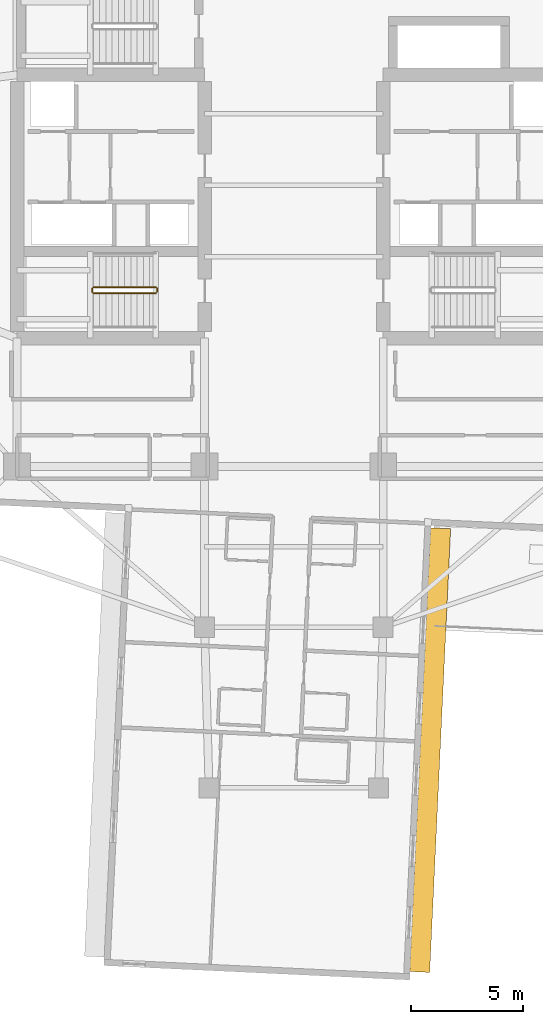
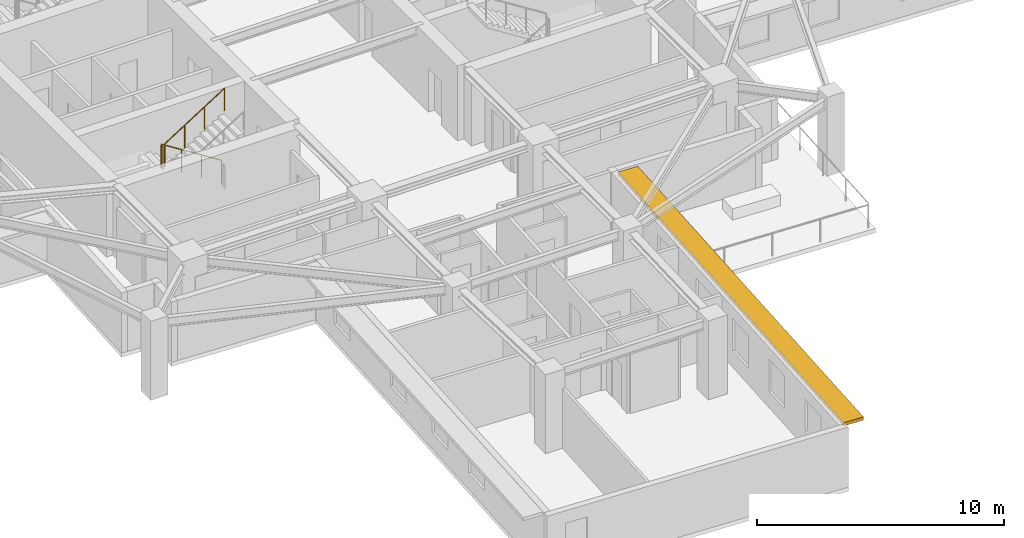
# One storey, part 11 of 14: 4 railings, 1 shading device.
"""IFC4 building model written with IfcOpenShell, lengths in metres."""

from ifc_helpers import new_model, si_unit, direction, frame, origin, origin_2d, place, context, subcontext, project, spatial, rectangle, circle, extrude, material, layer, layer_set, type_object, element, save


model = new_model("IFC4")

# Units and contexts
model_context = context("Model", 3, precision=1e-05, world=origin(), true_north=direction((0.0, 1.0)))
body_context = subcontext(model_context, "Body", "Model", "MODEL_VIEW")
ifc_project = project(units=[si_unit("LENGTHUNIT", "METRE"), si_unit("AREAUNIT", "SQUARE_METRE"), si_unit("VOLUMEUNIT", "CUBIC_METRE"), si_unit("PLANEANGLEUNIT", "RADIAN"), si_unit("MASSUNIT", "GRAM", prefix="KILO")], contexts=[model_context])

# Site, building, storey
site_placement = place(None, origin())
site = spatial("IfcSite", under=ifc_project, at=site_placement, CompositionType="ELEMENT")
building_placement = place(site_placement, origin())
building = spatial("IfcBuilding", under=site, at=building_placement, Name="Qingluan Cross Belvedere", CompositionType="ELEMENT")
storey_placement = place(building_placement, frame((0.0, 0.0, 172.199951171875)))
storey = spatial("IfcBuildingStorey", under=building, at=storey_placement, Name="L43", CompositionType="ELEMENT", Elevation=172.199951171875)

# Shading device
ifc_material_1 = material(Name="Precast concrete C45", Category="concrete")
ifc_layer = layer(ifc_material_1, 0.159912109375, Name="ConcreteSunshadeBand_900")
ifc_layer_set = layer_set([ifc_layer], Name="Precast concrete C45")
shading_device_type = type_object("IfcShadingDeviceType", Name="ConcreteSunshadeBand_900", PredefinedType="USERDEFINED", material=ifc_layer_set)
shading_device_placement = place(storey_placement, frame((6.104736328125, -25.3056640625, 2.7900390625), z_axis=(0.0, 0.0, 1.0), x_axis=(0.04710941444, 0.998889735192, 0.0)))
element("IfcShadingDevice", 1, at=shading_device_placement, inside=storey, type_object=shading_device_type, Name="Concrete SUNSHADE L43-SB", ObjectType="SUNSHADE", PredefinedType="USERDEFINED", context=body_context, shape_type="SweptSolid", body=[
    extrude(rectangle(XDim=19.89990234375, YDim=0.89990234375, at=origin_2d()), origin(), (0.0, 0.0, 1.0), 0.159912109375),
])

# Railings
ifc_material_2 = material(Name="Painted steel stair well guard", Category="steel")
railing_type = type_object("IfcRailingType", Name="StairWellGuard_1150", PredefinedType="BALUSTRADE", material=ifc_material_2)
railing_1_placement = place(storey_placement, frame((-6.179931640625, -4.570068359375, 0.17724609375)))
element("IfcRailing", 2, at=railing_1_placement, inside=storey, type_object=railing_type, Name="L43 ST1 stair guard 1", PredefinedType="BALUSTRADE", context=body_context, shape_type="SweptSolid", body=[
    extrude(circle(Radius=0.02392578125, at=origin_2d()), frame((0.0, 0.0, 1.1259765625), z_axis=(-0.844908973607, 0.0, 0.534910110503), x_axis=(0.0, -1.0, 0.0)), (0.0, 0.0, 1.0), 3.31396484375),
    extrude(circle(Radius=0.02099609375, at=origin_2d()), origin(), (0.0, 0.0, 1.0), 1.101806640625),
    extrude(circle(Radius=0.02099609375, at=origin_2d()), frame((-0.933349609375, 0.0, 0.5908203125)), (0.0, 0.0, 1.0), 1.101806640625),
    extrude(circle(Radius=0.02099609375, at=origin_2d()), frame((-1.86669921875, 0.0, 1.181884765625)), (0.0, 0.0, 1.0), 1.101806640625),
    extrude(circle(Radius=0.02099609375, at=origin_2d()), frame((-2.800048828125, 0.0, 1.772705078125)), (0.0, 0.0, 1.0), 1.101806640625),
])
railing_2_placement = place(storey_placement, frame((-9.030029296875, -4.6201171875, 1.949951171875)))
element("IfcRailing", 3, at=railing_2_placement, inside=storey, type_object=railing_type, Name="L43 ST1 stair guard 2", PredefinedType="BALUSTRADE", context=body_context, shape_type="SweptSolid", body=[
    extrude(circle(Radius=0.02392578125, at=origin_2d()), frame((0.0, 0.0, 1.1259765625), z_axis=(0.0, -1.0, 0.0), x_axis=(1.0, 0.0, 0.0)), (0.0, 0.0, 1.0), 0.159912109375),
    extrude(circle(Radius=0.02099609375, at=origin_2d()), origin(), (0.0, 0.0, 1.0), 1.101806640625),
    extrude(circle(Radius=0.02099609375, at=origin_2d()), frame((0.0, -0.159912109375, 0.0)), (0.0, 0.0, 1.0), 1.101806640625),
])
railing_3_placement = place(storey_placement, frame((-8.97998046875, -4.830078125, 2.12744140625)))
element("IfcRailing", 4, at=railing_3_placement, inside=storey, type_object=railing_type, Name="L43 ST1 stair guard 3", PredefinedType="BALUSTRADE", context=body_context, shape_type="SweptSolid", body=[
    extrude(circle(Radius=0.02392578125, at=origin_2d()), frame((0.0, 0.0, 1.1259765625), z_axis=(0.844908973607, 0.0, 0.534910110503), x_axis=(0.0, 1.0, 0.0)), (0.0, 0.0, 1.0), 3.31396484375),
    extrude(circle(Radius=0.02099609375, at=origin_2d()), origin(), (0.0, 0.0, 1.0), 1.101806640625),
    extrude(circle(Radius=0.02099609375, at=origin_2d()), frame((0.933349609375, 0.0, 0.5908203125)), (0.0, 0.0, 1.0), 1.101806640625),
    extrude(circle(Radius=0.02099609375, at=origin_2d()), frame((1.86669921875, 0.0, 1.181884765625)), (0.0, 0.0, 1.0), 1.101806640625),
    extrude(circle(Radius=0.02099609375, at=origin_2d()), frame((2.800048828125, 0.0, 1.772705078125)), (0.0, 0.0, 1.0), 1.101806640625),
])
railing_4_placement = place(storey_placement, frame((-6.1298828125, -4.6201171875, 0.0)))
element("IfcRailing", 5, at=railing_4_placement, inside=storey, type_object=railing_type, Name="L43 ST1 stair guard 4", PredefinedType="BALUSTRADE", context=body_context, shape_type="SweptSolid", body=[
    extrude(circle(Radius=0.02392578125, at=origin_2d()), frame((0.0, 0.0, 1.1259765625), z_axis=(0.0, -1.0, 0.0), x_axis=(1.0, 0.0, 0.0)), (0.0, 0.0, 1.0), 0.159912109375),
    extrude(circle(Radius=0.02099609375, at=origin_2d()), origin(), (0.0, 0.0, 1.0), 1.101806640625),
    extrude(circle(Radius=0.02099609375, at=origin_2d()), frame((0.0, -0.159912109375, 0.0)), (0.0, 0.0, 1.0), 1.101806640625),
])

save(model, "model.ifc")
